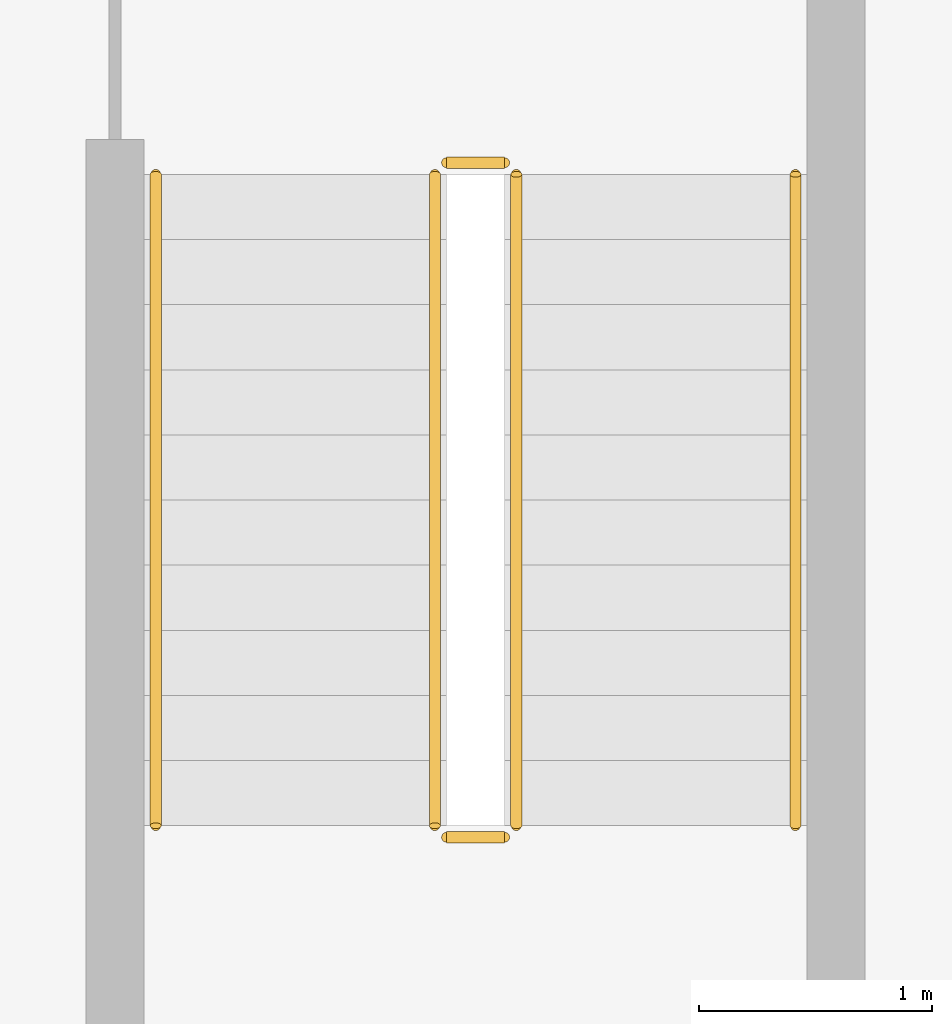
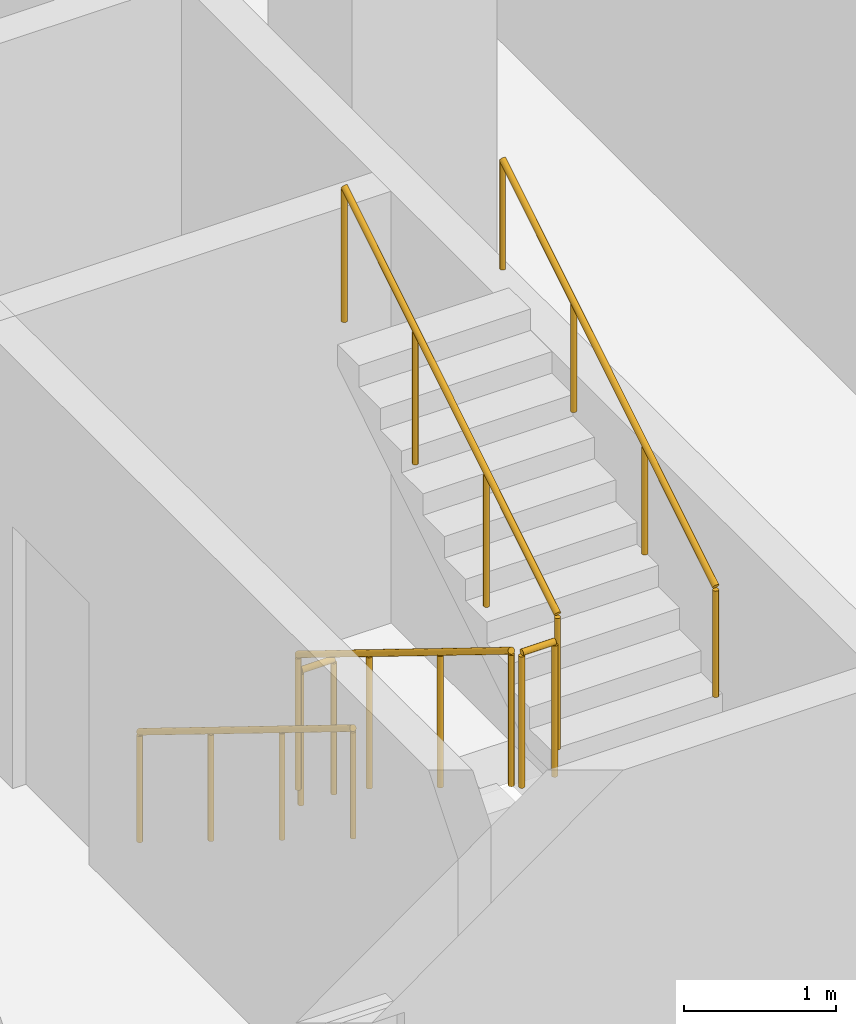
# One storey, part 23 of 28: 6 railings.
"""IFC4 building model written with IfcOpenShell, lengths in metres."""

from ifc_helpers import new_model, si_unit, direction, frame, origin, origin_2d, place, context, subcontext, project, spatial, circle, extrude, material, type_object, element, save


model = new_model("IFC4")

# Units and contexts
model_context = context("Model", 3, precision=1e-05, world=origin(), true_north=direction((0.0, 1.0)))
body_context = subcontext(model_context, "Body", "Model", "MODEL_VIEW")
ifc_project = project(units=[si_unit("LENGTHUNIT", "METRE"), si_unit("AREAUNIT", "SQUARE_METRE"), si_unit("VOLUMEUNIT", "CUBIC_METRE"), si_unit("PLANEANGLEUNIT", "RADIAN"), si_unit("MASSUNIT", "GRAM", prefix="KILO")], contexts=[model_context])

# Site, building, storey
site_placement = place(None, origin())
site = spatial("IfcSite", under=ifc_project, at=site_placement, CompositionType="ELEMENT")
building_placement = place(site_placement, origin())
building = spatial("IfcBuilding", under=site, at=building_placement, Name="Mahtab Terrace Research Tower", CompositionType="ELEMENT")
storey_placement = place(building_placement, frame((0.0, 0.0, 193.89990234375)))
storey = spatial("IfcBuildingStorey", under=building, at=storey_placement, Name="L46", CompositionType="ELEMENT", Elevation=193.89990234375)

# Railings
ifc_material = material(Name="Stainless steel AISI 304", Category="steel")
railing_type_1 = type_object("IfcRailingType", Name="Stair guard 1100", PredefinedType="GUARDRAIL", material=ifc_material)
railing_1_placement = place(storey_placement, frame((2.949951171875, -4.175048828125, 0.1728515625)))
element("IfcRailing", 1, at=railing_1_placement, inside=storey, type_object=railing_type_1, Name="L46 ST2 stair guard 1", PredefinedType="GUARDRAIL", context=body_context, shape_type="SweptSolid", body=[
    extrude(circle(Radius=0.02392578125, at=origin_2d()), frame((0.0, 0.0, 1.076171875), z_axis=(0.0, -0.851089632645, 0.525020415988), x_axis=(1.0, 0.0, 0.0)), (0.0, 0.0, 1.0), 3.2900390625),
    extrude(circle(Radius=0.02099609375, at=origin_2d()), origin(), (0.0, 0.0, 1.0), 1.052001953125),
    extrude(circle(Radius=0.02099609375, at=origin_2d()), frame((0.0, -0.933349609375, 0.57568359375)), (0.0, 0.0, 1.0), 1.052001953125),
    extrude(circle(Radius=0.02099609375, at=origin_2d()), frame((0.0, -1.86669921875, 1.151611328125)), (0.0, 0.0, 1.0), 1.052001953125),
    extrude(circle(Radius=0.02099609375, at=origin_2d()), frame((0.0, -2.800048828125, 1.727294921875)), (0.0, 0.0, 1.0), 1.052001953125),
])
railing_2_placement = place(storey_placement, frame((3.0, -7.02490234375, 1.900146484375)))
element("IfcRailing", 2, at=railing_2_placement, inside=storey, type_object=railing_type_1, Name="L46 ST2 stair guard 2", PredefinedType="GUARDRAIL", context=body_context, shape_type="SweptSolid", body=[
    extrude(circle(Radius=0.02392578125, at=origin_2d()), frame((0.0, 0.0, 1.076171875), z_axis=(1.0, 0.0, 0.0), x_axis=(0.0, 1.0, 0.0)), (0.0, 0.0, 1.0), 0.25),
    extrude(circle(Radius=0.02099609375, at=origin_2d()), origin(), (0.0, 0.0, 1.0), 1.052001953125),
    extrude(circle(Radius=0.02099609375, at=origin_2d()), frame((0.25, 0.0, 0.0)), (0.0, 0.0, 1.0), 1.052001953125),
])
railing_3_placement = place(storey_placement, frame((3.300048828125, -6.97509765625, 2.07275390625)))
element("IfcRailing", 3, at=railing_3_placement, inside=storey, type_object=railing_type_1, Name="L46 ST2 stair guard 3", PredefinedType="GUARDRAIL", context=body_context, shape_type="SweptSolid", body=[
    extrude(circle(Radius=0.02392578125, at=origin_2d()), frame((0.0, 0.0, 1.076171875), z_axis=(0.0, 0.851089632645, 0.525020415988), x_axis=(-1.0, 0.0, 0.0)), (0.0, 0.0, 1.0), 3.2900390625),
    extrude(circle(Radius=0.02099609375, at=origin_2d()), origin(), (0.0, 0.0, 1.0), 1.052001953125),
    extrude(circle(Radius=0.02099609375, at=origin_2d()), frame((0.0, 0.933349609375, 0.57568359375)), (0.0, 0.0, 1.0), 1.052001953125),
    extrude(circle(Radius=0.02099609375, at=origin_2d()), frame((0.0, 1.86669921875, 1.151611328125)), (0.0, 0.0, 1.0), 1.052001953125),
    extrude(circle(Radius=0.02099609375, at=origin_2d()), frame((0.0, 2.800048828125, 1.727294921875)), (0.0, 0.0, 1.0), 1.052001953125),
])
railing_4_placement = place(storey_placement, frame((3.0, -4.125, 0.0)))
element("IfcRailing", 4, at=railing_4_placement, inside=storey, type_object=railing_type_1, Name="L46 ST2 stair guard 4", PredefinedType="GUARDRAIL", context=body_context, shape_type="SweptSolid", body=[
    extrude(circle(Radius=0.02392578125, at=origin_2d()), frame((0.0, 0.0, 1.076171875), z_axis=(1.0, 0.0, 0.0), x_axis=(0.0, 1.0, 0.0)), (0.0, 0.0, 1.0), 0.25),
    extrude(circle(Radius=0.02099609375, at=origin_2d()), origin(), (0.0, 0.0, 1.0), 1.052001953125),
    extrude(circle(Radius=0.02099609375, at=origin_2d()), frame((0.25, 0.0, 0.0)), (0.0, 0.0, 1.0), 1.052001953125),
])
railing_type_2 = type_object("IfcRailingType", Name="Stair handrail 900", PredefinedType="HANDRAIL", material=ifc_material)
railing_5_placement = place(storey_placement, frame((1.75, -4.175048828125, 0.1728515625)))
element("IfcRailing", 5, at=railing_5_placement, inside=storey, type_object=railing_type_2, Name="L46 ST2 stair handrail 1", PredefinedType="HANDRAIL", context=body_context, shape_type="SweptSolid", body=[
    extrude(circle(Radius=0.02392578125, at=origin_2d()), frame((0.0, 0.0, 0.8759765625), z_axis=(0.0, -0.851089632645, 0.525020415988), x_axis=(1.0, 0.0, 0.0)), (0.0, 0.0, 1.0), 3.2900390625),
    extrude(circle(Radius=0.02099609375, at=origin_2d()), origin(), (0.0, 0.0, 1.0), 0.851806640625),
    extrude(circle(Radius=0.02099609375, at=origin_2d()), frame((0.0, -0.933349609375, 0.57568359375)), (0.0, 0.0, 1.0), 0.851806640625),
    extrude(circle(Radius=0.02099609375, at=origin_2d()), frame((0.0, -1.86669921875, 1.151611328125)), (0.0, 0.0, 1.0), 0.851806640625),
    extrude(circle(Radius=0.02099609375, at=origin_2d()), frame((0.0, -2.800048828125, 1.727294921875)), (0.0, 0.0, 1.0), 0.851806640625),
])
railing_6_placement = place(storey_placement, frame((4.5, -6.97509765625, 2.07275390625)))
element("IfcRailing", 6, at=railing_6_placement, inside=storey, type_object=railing_type_2, Name="L46 ST2 stair handrail 2", PredefinedType="HANDRAIL", context=body_context, shape_type="SweptSolid", body=[
    extrude(circle(Radius=0.02392578125, at=origin_2d()), frame((0.0, 0.0, 0.8759765625), z_axis=(0.0, 0.851089632645, 0.525020415988), x_axis=(-1.0, 0.0, 0.0)), (0.0, 0.0, 1.0), 3.2900390625),
    extrude(circle(Radius=0.02099609375, at=origin_2d()), origin(), (0.0, 0.0, 1.0), 0.851806640625),
    extrude(circle(Radius=0.02099609375, at=origin_2d()), frame((0.0, 0.933349609375, 0.57568359375)), (0.0, 0.0, 1.0), 0.851806640625),
    extrude(circle(Radius=0.02099609375, at=origin_2d()), frame((0.0, 1.86669921875, 1.151611328125)), (0.0, 0.0, 1.0), 0.851806640625),
    extrude(circle(Radius=0.02099609375, at=origin_2d()), frame((0.0, 2.800048828125, 1.727294921875)), (0.0, 0.0, 1.0), 0.851806640625),
])

save(model, "model.ifc")
